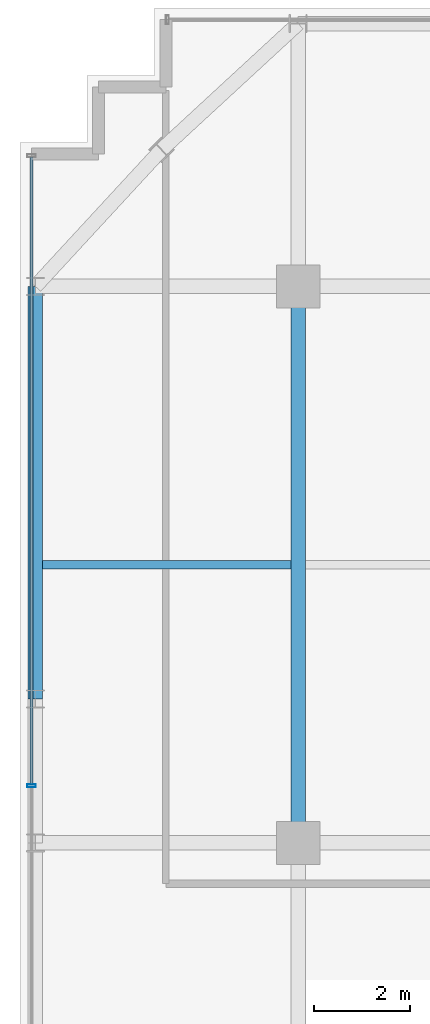
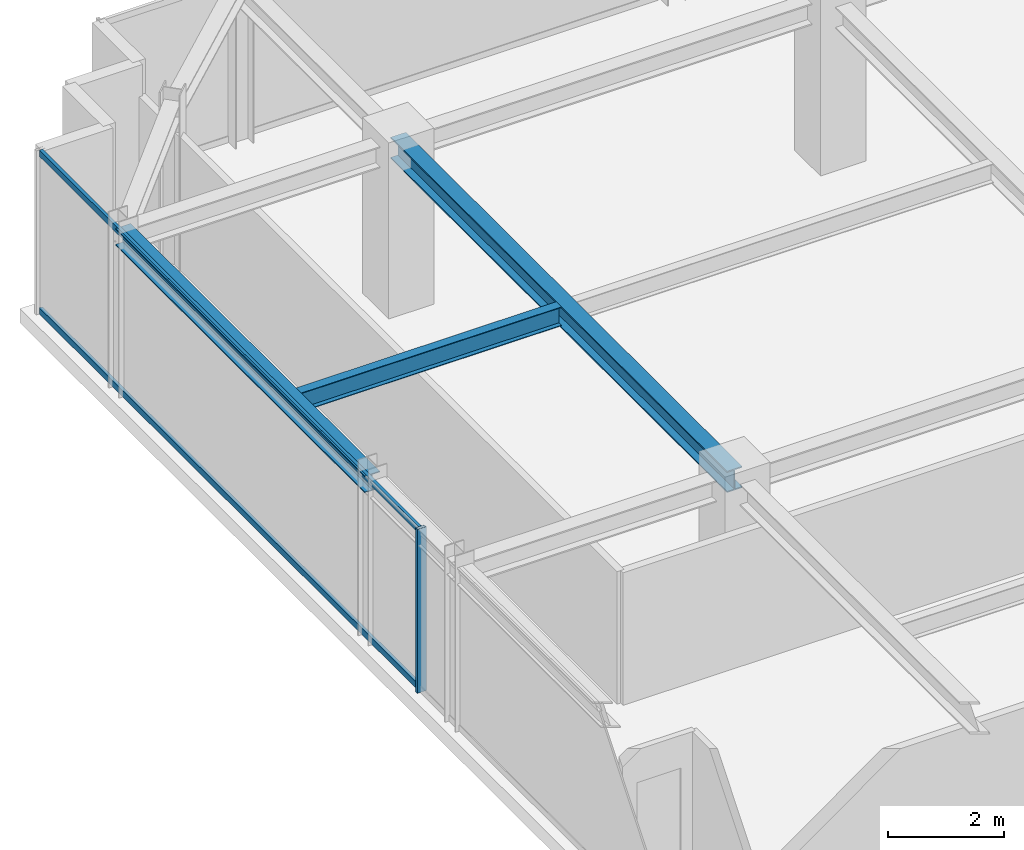
# One storey, part 15 of 33: 3 beams, 3 members, 1 element without a shape of its own.
"""IFC4 building model written with IfcOpenShell, lengths in metres."""

from ifc_helpers import new_model, si_unit, direction, frame, origin, origin_2d, place, context, subcontext, project, spatial, hollow_rectangle, i_section, extrude, source, transform, mapped, material, material_profile, profile_set, type_object, element, aggregate, save


model = new_model("IFC4")

# Units and contexts
model_context = context("Model", 3, precision=1e-05, world=origin(), true_north=direction((0.0, 1.0)))
body_context = subcontext(model_context, "Body", "Model", "MODEL_VIEW")
ifc_project = project(units=[si_unit("LENGTHUNIT", "METRE"), si_unit("AREAUNIT", "SQUARE_METRE"), si_unit("VOLUMEUNIT", "CUBIC_METRE"), si_unit("PLANEANGLEUNIT", "RADIAN"), si_unit("MASSUNIT", "GRAM", prefix="KILO")], contexts=[model_context])

# Site, building, storey
site_placement = place(None, origin())
site = spatial("IfcSite", under=ifc_project, at=site_placement, CompositionType="ELEMENT")
building_placement = place(site_placement, origin())
building = spatial("IfcBuilding", under=site, at=building_placement, Name="Nahalor Promenade Grand Hotel", CompositionType="ELEMENT")
storey_placement = place(building_placement, frame((0.0, 0.0, 270.050048828125)))
storey = spatial("IfcBuildingStorey", under=building, at=storey_placement, Name="L69", CompositionType="ELEMENT", Elevation=270.050048828125)

# Beams
ifc_material_1 = material(Name="Steel S355JR", Category="steel")
ifc_material_profile_1 = material_profile(ifc_material_1, i_section(OverallWidth=0.3, OverallDepth=0.45, WebThickness=0.014, FlangeThickness=0.026, at=origin_2d()), Name="HEB 450")
ifc_profile_set_1 = profile_set([ifc_material_profile_1], Name="Steel S355JR")
beam_type_1 = type_object("IfcBeamType", Name="Beam-Girder-HEB450", PredefinedType="BEAM", material=ifc_profile_set_1)
shared_shape_1 = source(origin(), body_context, "Body", "SweptSolid", [
    extrude(i_section(OverallWidth=0.3, OverallDepth=0.45, WebThickness=0.014, FlangeThickness=0.026, at=origin_2d()), origin(), (0.0, 0.0, 1.0), 11.60009765625),
])
beam_1_placement = place(storey_placement, frame((-17.0, 5.39990234375, 3.224853515625), z_axis=(0.0, 1.0, 0.0), x_axis=(-1.0, 0.0, 0.0)))
element("IfcBeam", 1, at=beam_1_placement, inside=storey, type_object=beam_type_1, Name="BM-L69-GY-0-3", PredefinedType="BEAM", context=body_context, shape_type="MappedRepresentation", body=[
    mapped(shared_shape_1, transform((0.0, 0.0, 0.0), scale=1.0)),
])
ifc_material_profile_2 = material_profile(ifc_material_1, i_section(OverallWidth=0.18, OverallDepth=0.4, WebThickness=0.0086, FlangeThickness=0.0135, at=origin_2d()), Name="IPE 400")
ifc_profile_set_2 = profile_set([ifc_material_profile_2], Name="Steel S355JR")
beam_type_2 = type_object("IfcBeamType", Name="Beam-Joist-IPE400", PredefinedType="JOIST", material=ifc_profile_set_2)
shared_shape_2 = source(origin(), body_context, "Body", "SweptSolid", [
    extrude(i_section(OverallWidth=0.18, OverallDepth=0.4, WebThickness=0.0086, FlangeThickness=0.0135, at=origin_2d()), origin(), (0.0, 0.0, 1.0), 5.18017578125),
])
beam_2_placement = place(storey_placement, frame((-22.330078125, 11.199951171875, 3.25), z_axis=(1.0, 0.0, 0.0), x_axis=(0.0, 1.0, 0.0)))
element("IfcBeam", 2, at=beam_2_placement, inside=storey, type_object=beam_type_2, Name="BM-L69-JSW-1-0", PredefinedType="JOIST", context=body_context, shape_type="MappedRepresentation", body=[
    mapped(shared_shape_2, transform((0.0, 0.0, 0.0), scale=1.0)),
])
ifc_material_profile_3 = material_profile(ifc_material_1, i_section(OverallWidth=0.3, OverallDepth=0.36, WebThickness=0.0125, FlangeThickness=0.0225, at=origin_2d()), Name="HEB 360")
ifc_profile_set_3 = profile_set([ifc_material_profile_3], Name="Steel S355JR")
beam_type_3 = type_object("IfcBeamType", Name="Beam-Spandrel-HEB360", PredefinedType="SPANDREL", material=ifc_profile_set_3)
shared_shape_3 = source(origin(), body_context, "Body", "SweptSolid", [
    extrude(i_section(OverallWidth=0.3, OverallDepth=0.36, WebThickness=0.0125, FlangeThickness=0.0225, at=origin_2d()), origin(), (0.0, 0.0, 1.0), 8.60009765625),
])
beam_3_placement = place(storey_placement, frame((-22.47998046875, 8.39990234375, 3.27001953125), z_axis=(0.0, 1.0, 0.0), x_axis=(-1.0, 0.0, 0.0)))
element("IfcBeam", 3, at=beam_3_placement, inside=storey, type_object=beam_type_3, Name="BM-L69-SP-W-4", PredefinedType="SPANDREL", context=body_context, shape_type="MappedRepresentation", body=[
    mapped(shared_shape_3, transform((0.0, 0.0, 0.0), scale=1.0)),
])

# Curtain wall, members
ifc_material_2 = material(Name="Anodised Bronze Aluminium EN AW-6063 T6", Category="aluminium")
curtain_wall_type = type_object("IfcCurtainWallType", Name="CW2 Typical Hotel Flush Bronze Unitised Curtain Wall", PredefinedType="USERDEFINED", material=ifc_material_2)
curtain_wall_placement = place(storey_placement, origin())
curtain_wall = element("IfcCurtainWall", 4, at=curtain_wall_placement, inside=storey, type_object=curtain_wall_type, Name="L69 Curtain Wall CW-L69-W-1", ObjectType="UNITISED_CURTAIN_WALL", PredefinedType="USERDEFINED")
ifc_material_profile_4 = material_profile(ifc_material_2, hollow_rectangle(XDim=0.065, YDim=0.13, WallThickness=0.004, at=origin_2d()), Name="CWT 65x130x4")
ifc_profile_set_4 = profile_set([ifc_material_profile_4], Name="Anodised Bronze Aluminium EN AW-6063 T6")
member_type_1 = type_object("IfcMemberType", Name="CWT2 Typical Bronze Transom 65x130", PredefinedType="USERDEFINED", material=ifc_profile_set_4)
shared_shape_4 = source(origin(), body_context, "Body", "SweptSolid", [
    extrude(hollow_rectangle(XDim=0.065, YDim=0.13, WallThickness=0.004, at=origin_2d()), origin(), (0.0, 0.0, 1.0), 13.075927734375),
])
member_1_placement = place(storey_placement, frame((-22.56005859375, 6.619140625, 0.06494140625), z_axis=(0.0, 1.0, 0.0), x_axis=(-1.0, 0.0, 0.0)))
member_1 = element("IfcMember", 5, at=member_1_placement, type_object=member_type_1, Name="CW-L69-W-1 Transom 2-0", ObjectType="TRANSOM", PredefinedType="USERDEFINED", context=body_context, shape_type="MappedRepresentation", body=[
    mapped(shared_shape_4, transform((0.0, 0.0, 0.0), scale=1.0)),
])
member_2_placement = place(storey_placement, frame((-22.56005859375, 6.619140625, 3.385009765625), z_axis=(0.0, 1.0, 0.0), x_axis=(-1.0, 0.0, 0.0)))
member_2 = element("IfcMember", 6, at=member_2_placement, type_object=member_type_1, Name="CW-L69-W-1 Transom 2-1", ObjectType="TRANSOM", PredefinedType="USERDEFINED", context=body_context, shape_type="MappedRepresentation", body=[
    mapped(shared_shape_4, transform((0.0, 0.0, 0.0), scale=1.0)),
])
ifc_material_profile_5 = material_profile(ifc_material_2, hollow_rectangle(XDim=0.065, YDim=0.18, WallThickness=0.004, at=origin_2d()), Name="CWM 65x180x4")
ifc_profile_set_5 = profile_set([ifc_material_profile_5], Name="Anodised Bronze Aluminium EN AW-6063 T6")
member_type_2 = type_object("IfcMemberType", Name="CWM2 Typical Bronze Mullion 65x180", PredefinedType="MULLION", material=ifc_profile_set_5)
shared_shape_5 = source(origin(), body_context, "Body", "SweptSolid", [
    extrude(hollow_rectangle(XDim=0.065, YDim=0.18, WallThickness=0.004, at=origin_2d()), origin(), (0.0, 0.0, 1.0), 3.449951171875),
])
member_3_placement = place(storey_placement, frame((-22.56005859375, 6.586669921875, 0.0), z_axis=(0.0, 0.0, 1.0), x_axis=(0.0, 1.0, 0.0)))
member_3 = element("IfcMember", 7, at=member_3_placement, type_object=member_type_2, Name="CW-L69-W-1 Mullion 2", PredefinedType="MULLION", context=body_context, shape_type="MappedRepresentation", body=[
    mapped(shared_shape_5, transform((0.0, 0.0, 0.0), scale=1.0)),
])
aggregate(curtain_wall, [member_3, member_1, member_2])

save(model, "model.ifc")
